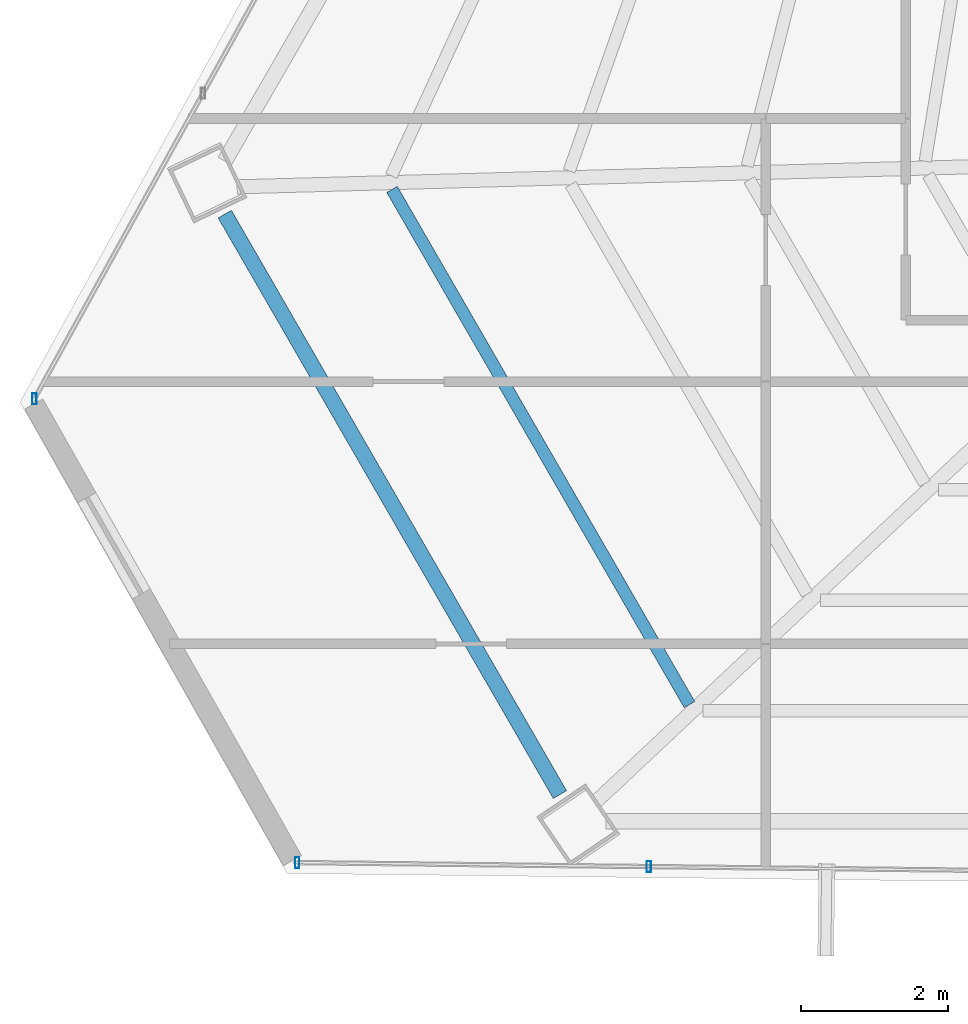
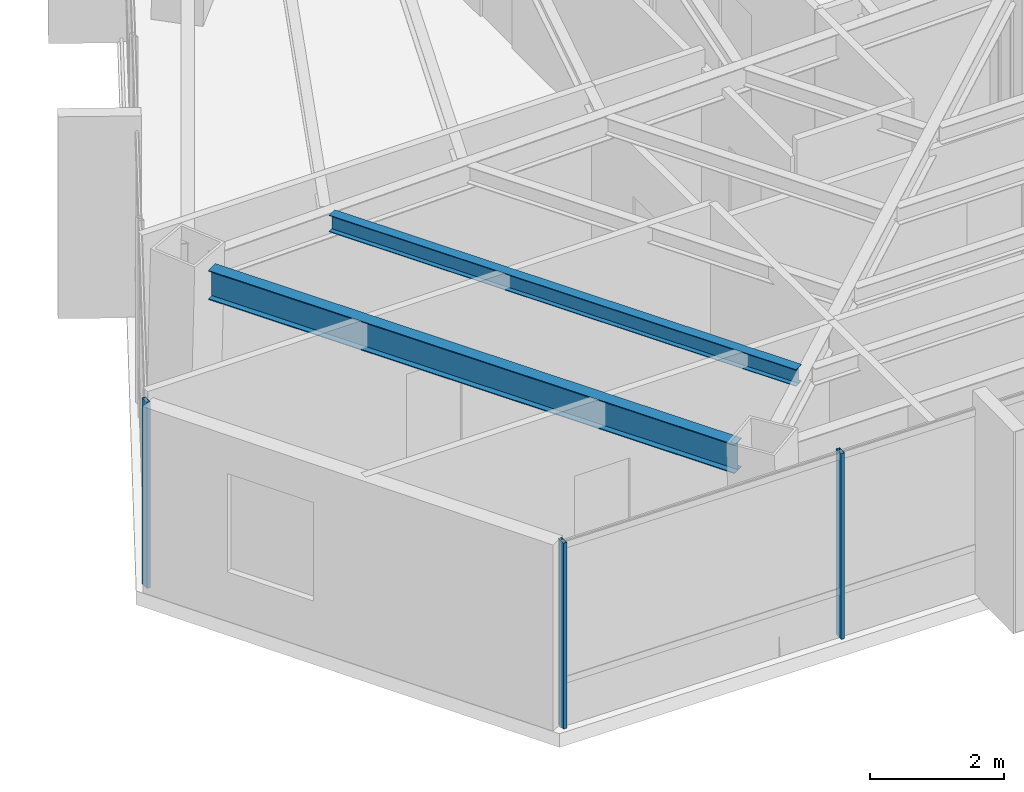
# One storey, part 3 of 42: 3 members, 2 beams, 2 elements without a shape of their own.
"""IFC4 building model written with IfcOpenShell, lengths in metres."""

from ifc_helpers import new_model, si_unit, direction, frame, origin, origin_2d, place, context, subcontext, project, spatial, hollow_rectangle, i_section, extrude, source, transform, mapped, material, material_profile, profile_set, type_object, type_shapes, element, aggregate, save


model = new_model("IFC4")

# Units and contexts
model_context = context("Model", 3, precision=1e-05, world=origin(), true_north=direction((0.0, 1.0)))
body_context = subcontext(model_context, "Body", "Model", "MODEL_VIEW")
ifc_project = project(units=[si_unit("LENGTHUNIT", "METRE"), si_unit("AREAUNIT", "SQUARE_METRE"), si_unit("VOLUMEUNIT", "CUBIC_METRE"), si_unit("PLANEANGLEUNIT", "RADIAN"), si_unit("MASSUNIT", "GRAM", prefix="KILO")], contexts=[model_context])

# Site, building, storey
site_placement = place(None, origin())
site = spatial("IfcSite", under=ifc_project, at=site_placement, CompositionType="ELEMENT")
building_placement = place(site_placement, origin())
building = spatial("IfcBuilding", under=site, at=building_placement, Name="Caelisora Broadcast Tower", CompositionType="ELEMENT")
storey_placement = place(building_placement, frame((0.0, 0.0, 205.949951171875)))
storey = spatial("IfcBuildingStorey", under=building, at=storey_placement, Name="L54", CompositionType="ELEMENT", Elevation=205.949951171875)

# Beams
ifc_material_1 = material(Name="Steel Grade 350 (AS/NZS 3679.1)", Category="steel")
ifc_material_profile_1 = material_profile(ifc_material_1, i_section(OverallWidth=0.208984375, OverallDepth=0.532958984375, WebThickness=0.01025390625, FlangeThickness=0.015625, at=origin_2d()), Name="Steel Grade 350 (AS/NZS 3679.1)")
ifc_profile_set_1 = profile_set([ifc_material_profile_1], Name="Steel Grade 350 (AS/NZS 3679.1)")
beam_type_1 = type_object("IfcBeamType", Name="PG05", PredefinedType="BEAM", material=ifc_profile_set_1)
shared_shape_1 = source(origin(), body_context, "Body", "SweptSolid", [
    extrude(i_section(OverallWidth=0.208984375, OverallDepth=0.532958984375, WebThickness=0.01025390625, FlangeThickness=0.015625, at=origin_2d()), origin(), (0.0, 0.0, 1.0), 9.095947265625),
])
type_shapes(beam_type_1, [shared_shape_1])
beam_1_placement = place(storey_placement, frame((16.160400390625, 16.642333984375, 3.133544921875), z_axis=(0.500015974805, -0.86601618053, 0.0), x_axis=(0.86601618053, 0.500015974805, 0.0)))
element("IfcBeam", 1, at=beam_1_placement, inside=storey, type_object=beam_type_1, Name="L54 beam PG05", PredefinedType="BEAM", context=body_context, shape_type="MappedRepresentation", body=[
    mapped(shared_shape_1, transform((0.0, 0.0, 0.0), scale=1.0)),
])
ifc_material_profile_2 = material_profile(ifc_material_1, i_section(OverallWidth=0.166015625, OverallDepth=0.30712890625, WebThickness=0.006591796875, FlangeThickness=0.01171875, at=origin_2d()), Name="Steel Grade 350 (AS/NZS 3679.1)")
ifc_profile_set_2 = profile_set([ifc_material_profile_2], Name="Steel Grade 350 (AS/NZS 3679.1)")
beam_type_2 = type_object("IfcBeamType", Name="SB03", PredefinedType="JOIST", material=ifc_profile_set_2)
shared_shape_2 = source(origin(), body_context, "Body", "SweptSolid", [
    extrude(i_section(OverallWidth=0.166015625, OverallDepth=0.30712890625, WebThickness=0.006591796875, FlangeThickness=0.01171875, at=origin_2d()), origin(), (0.0, 0.0, 1.0), 8.07275390625),
])
type_shapes(beam_type_2, [shared_shape_2])
beam_2_placement = place(storey_placement, frame((18.429931640625, 16.9775390625, 3.246337890625), z_axis=(0.499999947638, -0.866025434015, 0.0), x_axis=(0.866025434015, 0.499999947638, 0.0)))
element("IfcBeam", 2, at=beam_2_placement, inside=storey, type_object=beam_type_2, Name="L54 beam SB03", PredefinedType="JOIST", context=body_context, shape_type="MappedRepresentation", body=[
    mapped(shared_shape_2, transform((0.0, 0.0, 0.0), scale=1.0)),
])

# Curtain wall, members
ifc_material_2 = material(Name="Unitised Aluminium and Low-E Glass Curtain Wall", Category="glass")
curtain_wall_type = type_object("IfcCurtainWallType", Name="CW-Z4", PredefinedType="NOTDEFINED", material=ifc_material_2)
curtain_wall_1_placement = place(storey_placement, origin())
curtain_wall_1 = element("IfcCurtainWall", 3, at=curtain_wall_1_placement, inside=storey, type_object=curtain_wall_type, Name="L54 curtain wall CW-Z4", PredefinedType="NOTDEFINED")
ifc_material_3 = material(Name="Aluminium 6063-T6 Anodised Terracotta Bronze", Category="aluminium")
ifc_material_profile_3 = material_profile(ifc_material_3, hollow_rectangle(XDim=0.06005859375, YDim=0.14990234375, WallThickness=0.00341796875, at=origin_2d()), Name="Aluminium 6063-T6 Anodised Terracotta Bronze")
ifc_profile_set_3 = profile_set([ifc_material_profile_3], Name="Aluminium 6063-T6 Anodised Terracotta Bronze")
member_type = type_object("IfcMemberType", Name="CWM-03", PredefinedType="MULLION", material=ifc_profile_set_3)
shared_shape_3 = source(origin(), body_context, "Body", "SweptSolid", [
    extrude(hollow_rectangle(XDim=0.06005859375, YDim=0.14990234375, WallThickness=0.00341796875, at=origin_2d()), origin(), (0.0, 0.0, 1.0), 3.400146484375),
])
type_shapes(member_type, [shared_shape_3])
member_1_placement = place(storey_placement, frame((21.915771484375, 7.7880859375, 0.0), z_axis=(0.0, 0.0, 1.0), x_axis=(1.0, 0.0, 0.0)))
member_1 = element("IfcMember", 4, at=member_1_placement, type_object=member_type, Name="L54-CW-B07 mullion #2", PredefinedType="MULLION", context=body_context, shape_type="MappedRepresentation", body=[
    mapped(shared_shape_3, transform((0.0, 0.0, 0.0), scale=1.0)),
])
member_2_placement = place(storey_placement, frame((17.14404296875, 7.84228515625, 0.0), z_axis=(0.0, 0.0, 1.0), x_axis=(1.0, 0.0, 0.0)))
member_2 = element("IfcMember", 5, at=member_2_placement, type_object=member_type, Name="L54-CW-B07 mullion #3", PredefinedType="MULLION", context=body_context, shape_type="MappedRepresentation", body=[
    mapped(shared_shape_3, transform((0.0, 0.0, 0.0), scale=1.0)),
])
aggregate(curtain_wall_1, [member_1, member_2])

# Curtain wall, member
curtain_wall_2_placement = place(storey_placement, origin())
curtain_wall_2 = element("IfcCurtainWall", 6, at=curtain_wall_2_placement, inside=storey, type_object=curtain_wall_type, Name="L54 curtain wall CW-Z4", PredefinedType="NOTDEFINED")
member_3_placement = place(storey_placement, frame((13.5771484375, 14.1357421875, 0.0), z_axis=(0.0, 0.0, 1.0), x_axis=(1.0, 0.0, 0.0)))
member_3 = element("IfcMember", 7, at=member_3_placement, type_object=member_type, Name="L54-CW-B09 mullion #0", PredefinedType="MULLION", context=body_context, shape_type="MappedRepresentation", body=[
    mapped(shared_shape_3, transform((0.0, 0.0, 0.0), scale=1.0)),
])
aggregate(curtain_wall_2, [member_3])

save(model, "model.ifc")
